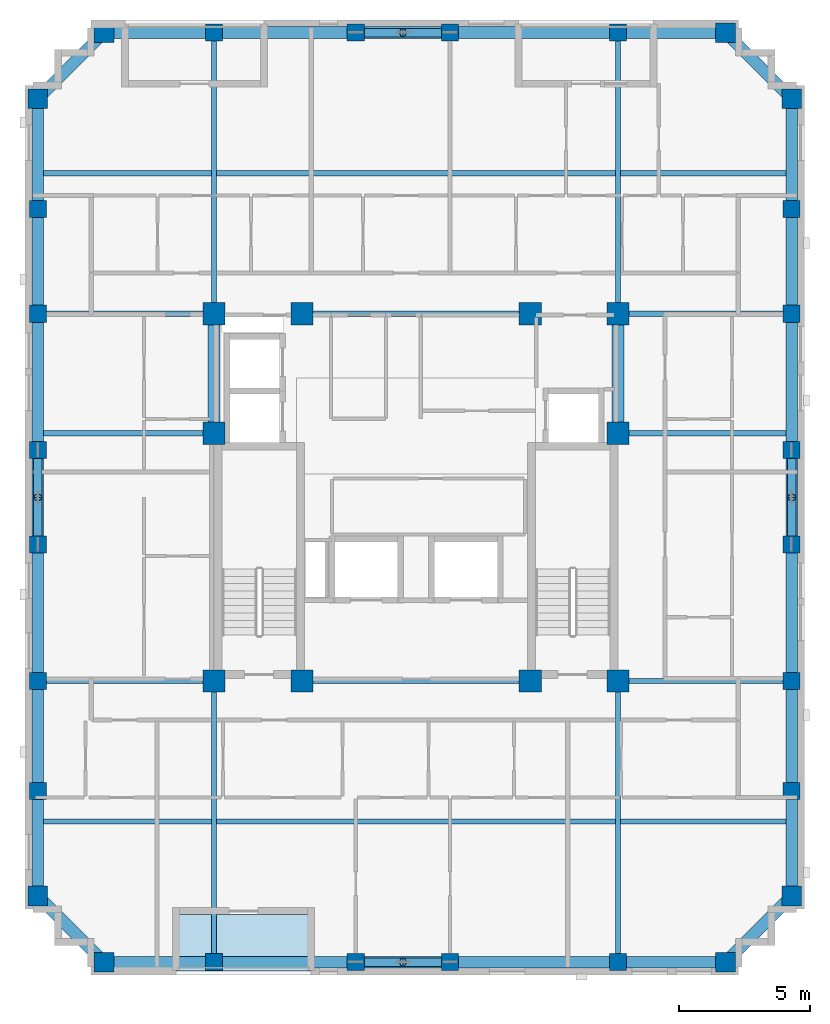
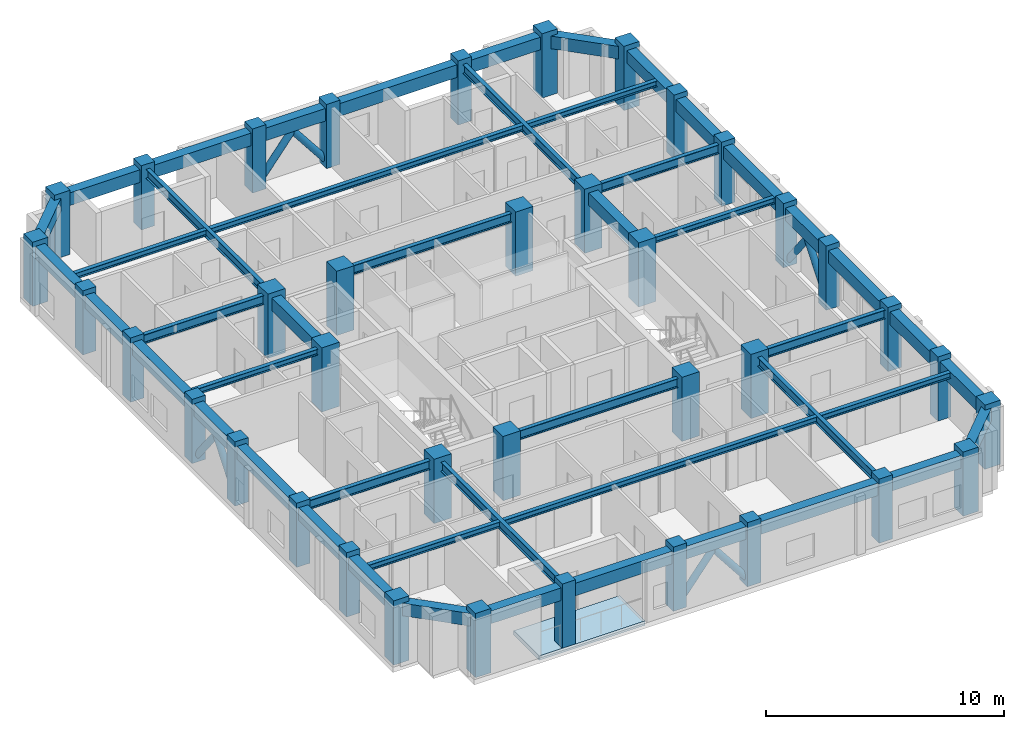
# One storey, part 1 of 11: 48 beams, 38 columns, 8 members, 1 slab.
"""IFC4 building model written with IfcOpenShell, lengths in metres."""

from ifc_helpers import new_model, si_unit, derived_unit, direction, frame, origin, origin_2d, place, context, subcontext, project, spatial, polyline, rectangle, hollow_circle, i_section, outline, extrude, material, layer, layer_set, material_profile, profile_set, type_object, element, save


model = new_model("IFC4")

# Units and contexts
model_context = context("Model", 3, precision=1e-05, world=origin(), true_north=direction((0.0, 1.0)))
body_context = subcontext(model_context, "Body", "Model", "MODEL_VIEW")
ifc_project = project(units=[si_unit("LENGTHUNIT", "METRE"), si_unit("AREAUNIT", "SQUARE_METRE"), si_unit("VOLUMEUNIT", "CUBIC_METRE"), si_unit("PLANEANGLEUNIT", "RADIAN"), si_unit("MASSUNIT", "GRAM", prefix="KILO"), derived_unit("THERMALTRANSMITTANCEUNIT", [(si_unit("MASSUNIT", "GRAM", prefix="KILO"), 1), (si_unit("TIMEUNIT", "SECOND"), -3), (si_unit("THERMODYNAMICTEMPERATUREUNIT", "KELVIN"), -1)])], contexts=[model_context])

# Site, building, storey
site_placement = place(None, origin())
site = spatial("IfcSite", under=ifc_project, at=site_placement, CompositionType="ELEMENT")
building_placement = place(site_placement, origin())
building = spatial("IfcBuilding", under=site, at=building_placement, Name="Korrvale Station Residences", CompositionType="ELEMENT")
storey_placement = place(building_placement, frame((0.0, 0.0, 187.60009765625)))
storey = spatial("IfcBuildingStorey", under=building, at=storey_placement, Name="L54", CompositionType="ELEMENT", Elevation=187.60009765625)

# Columns
ifc_material_1 = material(Name="Concrete C50/60", Category="concrete")
ifc_material_profile_1 = material_profile(ifc_material_1, rectangle(XDim=0.64990234375, YDim=0.64990234375, at=origin_2d()), Name="RC650x650")
ifc_profile_set_1 = profile_set([ifc_material_profile_1], Name="Concrete C50/60")
column_type_1 = type_object("IfcColumnType", Name="COL-C-RC650x650-C5060", PredefinedType="COLUMN", material=ifc_profile_set_1)
for number, where, z_axis, x_axis, name in (
    (1, (17.800048828125, 4.280029296875, 0.0), (0.0, 0.0, 1.0), (1.0, 0.0, 0.0), "L54 Bundled-Tube South Column 02"),
    (2, (23.199951171875, 4.280029296875, 0.0), (0.0, 0.0, 1.0), (1.0, 0.0, 0.0), "L54 Bundled-Tube South Column 03"),
    (3, (26.800048828125, 4.280029296875, 0.0), (0.0, 0.0, 1.0), (1.0, 0.0, 0.0), "L54 Bundled-Tube South Column 04"),
    (4, (33.199951171875, 4.280029296875, 0.0), (0.0, 0.0, 1.0), (1.0, 0.0, 0.0), "L54 Bundled-Tube South Column 05"),
    (5, (17.800048828125, 39.719970703125, 0.0), (0.0, 0.0, 1.0), (1.0, 0.0, 0.0), "L54 Bundled-Tube North Column 08"),
    (6, (23.199951171875, 39.719970703125, 0.0), (0.0, 0.0, 1.0), (1.0, 0.0, 0.0), "L54 Bundled-Tube North Column 09"),
    (7, (26.800048828125, 39.719970703125, 0.0), (0.0, 0.0, 1.0), (1.0, 0.0, 0.0), "L54 Bundled-Tube North Column 10"),
    (8, (33.199951171875, 39.719970703125, 0.0), (0.0, 0.0, 1.0), (1.0, 0.0, 0.0), "L54 Bundled-Tube North Column 11"),
    (9, (11.080078125, 10.800048828125, 0.0), (0.0, 0.0, 1.0), (1.0, 0.0, 0.0), "L54 Bundled-Tube West Column 14"),
    (10, (11.080078125, 15.0, 0.0), (0.0, 0.0, 1.0), (1.0, 0.0, 0.0), "L54 Bundled-Tube West Column 15"),
    (11, (11.080078125, 20.199951171875, 0.0), (0.0, 0.0, 1.0), (1.0, 0.0, 0.0), "L54 Bundled-Tube West Column 16"),
    (12, (11.080078125, 23.800048828125, 0.0), (0.0, 0.0, 1.0), (1.0, 0.0, 0.0), "L54 Bundled-Tube West Column 17"),
    (13, (11.080078125, 29.0, 0.0), (0.0, 0.0, 1.0), (1.0, 0.0, 0.0), "L54 Bundled-Tube West Column 18"),
    (14, (11.080078125, 33.0, 0.0), (0.0, 0.0, 1.0), (1.0, 0.0, 0.0), "L54 Bundled-Tube West Column 19"),
    (15, (39.820068359375, 10.800048828125, 0.0), (0.0, 0.0, 1.0), (1.0, 0.0, 0.0), "L54 Bundled-Tube East Column 22"),
    (16, (39.820068359375, 15.0, 0.0), (0.0, 0.0, 1.0), (1.0, 0.0, 0.0), "L54 Bundled-Tube East Column 23"),
    (17, (39.820068359375, 20.199951171875, 0.0), (0.0, 0.0, 1.0), (1.0, 0.0, 0.0), "L54 Bundled-Tube East Column 24"),
    (18, (39.820068359375, 23.800048828125, 0.0), (0.0, 0.0, 1.0), (1.0, 0.0, 0.0), "L54 Bundled-Tube East Column 25"),
    (19, (39.820068359375, 29.0, 0.0), (0.0, 0.0, 1.0), (1.0, 0.0, 0.0), "L54 Bundled-Tube East Column 26"),
    (20, (39.820068359375, 33.0, 0.0), (0.0, 0.0, 1.0), (1.0, 0.0, 0.0), "L54 Bundled-Tube East Column 27"),
):
    element("IfcColumn", number, at=place(storey_placement, frame(where, z_axis=z_axis, x_axis=x_axis)), inside=storey, type_object=column_type_1, Name=name, PredefinedType="COLUMN", context=body_context, shape_type="SweptSolid", body=[
        extrude(rectangle(XDim=0.64990234375, YDim=0.64990234375, at=origin_2d()), origin(), (0.0, 0.0, 1.0), 3.2998046875),
    ])
ifc_material_profile_2 = material_profile(ifc_material_1, rectangle(XDim=0.75, YDim=0.75, at=origin_2d()), Name="RC750x750")
ifc_profile_set_2 = profile_set([ifc_material_profile_2], Name="Concrete C50/60")
column_type_2 = type_object("IfcColumnType", Name="COL-C-RC750x750-C5060", PredefinedType="COLUMN", material=ifc_profile_set_2)
for number, where, z_axis, x_axis, name in (
    (21, (13.60009765625, 4.280029296875, 0.0), (0.0, 0.0, 1.0), (1.0, 0.0, 0.0), "L54 Bundled-Tube South Column 01"),
    (22, (37.300048828125, 4.280029296875, 0.0), (0.0, 0.0, 1.0), (1.0, 0.0, 0.0), "L54 Bundled-Tube South Column 06"),
    (23, (13.60009765625, 39.719970703125, 0.0), (0.0, 0.0, 1.0), (1.0, 0.0, 0.0), "L54 Bundled-Tube North Column 07"),
    (24, (37.300048828125, 39.719970703125, 0.0), (0.0, 0.0, 1.0), (1.0, 0.0, 0.0), "L54 Bundled-Tube North Column 12"),
    (25, (11.080078125, 6.800048828125, 0.0), (0.0, 0.0, 1.0), (1.0, 0.0, 0.0), "L54 Bundled-Tube West Column 13"),
    (26, (11.080078125, 37.199951171875, 0.0), (0.0, 0.0, 1.0), (1.0, 0.0, 0.0), "L54 Bundled-Tube West Column 20"),
    (27, (39.820068359375, 6.800048828125, 0.0), (0.0, 0.0, 1.0), (1.0, 0.0, 0.0), "L54 Bundled-Tube East Column 21"),
    (28, (39.820068359375, 37.199951171875, 0.0), (0.0, 0.0, 1.0), (1.0, 0.0, 0.0), "L54 Bundled-Tube East Column 28"),
):
    element("IfcColumn", number, at=place(storey_placement, frame(where, z_axis=z_axis, x_axis=x_axis)), inside=storey, type_object=column_type_2, Name=name, PredefinedType="COLUMN", context=body_context, shape_type="SweptSolid", body=[
        extrude(rectangle(XDim=0.75, YDim=0.75, at=origin_2d()), origin(), (0.0, 0.0, 1.0), 3.2998046875),
    ])
ifc_material_profile_3 = material_profile(ifc_material_1, rectangle(XDim=0.85009765625, YDim=0.85009765625, at=origin_2d()), Name="RC850x850")
ifc_profile_set_3 = profile_set([ifc_material_profile_3], Name="Concrete C50/60")
column_type_3 = type_object("IfcColumnType", Name="COL-C-RC850x850-C5060", PredefinedType="COLUMN", material=ifc_profile_set_3)
for number, where, z_axis, x_axis, name in (
    (29, (17.800048828125, 15.0, 0.0), (0.0, 0.0, 1.0), (1.0, 0.0, 0.0), "L54 Core Column 01"),
    (30, (21.14990234375, 15.0, 0.0), (0.0, 0.0, 1.0), (1.0, 0.0, 0.0), "L54 Core Column 02"),
    (31, (29.85009765625, 15.0, 0.0), (0.0, 0.0, 1.0), (1.0, 0.0, 0.0), "L54 Core Column 03"),
    (32, (33.199951171875, 15.0, 0.0), (0.0, 0.0, 1.0), (1.0, 0.0, 0.0), "L54 Core Column 04"),
    (33, (17.800048828125, 29.0, 0.0), (0.0, 0.0, 1.0), (1.0, 0.0, 0.0), "L54 Core Column 05"),
    (34, (21.14990234375, 29.0, 0.0), (0.0, 0.0, 1.0), (1.0, 0.0, 0.0), "L54 Core Column 06"),
    (35, (29.85009765625, 29.0, 0.0), (0.0, 0.0, 1.0), (1.0, 0.0, 0.0), "L54 Core Column 07"),
    (36, (33.199951171875, 29.0, 0.0), (0.0, 0.0, 1.0), (1.0, 0.0, 0.0), "L54 Core Column 08"),
    (37, (17.800048828125, 24.449951171875, 0.0), (0.0, 0.0, 1.0), (1.0, 0.0, 0.0), "L54 Core Column 09"),
    (38, (33.199951171875, 24.449951171875, 0.0), (0.0, 0.0, 1.0), (1.0, 0.0, 0.0), "L54 Core Column 10"),
):
    element("IfcColumn", number, at=place(storey_placement, frame(where, z_axis=z_axis, x_axis=x_axis)), inside=storey, type_object=column_type_3, Name=name, PredefinedType="COLUMN", context=body_context, shape_type="SweptSolid", body=[
        extrude(rectangle(XDim=0.85009765625, YDim=0.85009765625, at=origin_2d()), origin(), (0.0, 0.0, 1.0), 3.2998046875),
    ])

# Beams
ifc_material_2 = material(Name="Steel S355", Category="steel")
ifc_material_profile_4 = material_profile(ifc_material_2, i_section(OverallWidth=0.194091796875, OverallDepth=0.468994140625, WebThickness=0.0126953125, FlangeThickness=0.0205078125, FilletRadius=0.01611328125, at=origin_2d()), Name="W460x106")
ifc_profile_set_4 = profile_set([ifc_material_profile_4], Name="Steel S355")
beam_type_1 = type_object("IfcBeamType", Name="BM-BM-W460x106-S355", PredefinedType="BEAM", material=ifc_profile_set_4)
for number, where, z_axis, x_axis, name in (
    (39, (17.800048828125, 4.280029296875, 2.805419921875), (0.0, 1.0, 0.0), (-1.0, 0.0, 0.0), "L54 Bundled-Tube Web Girder 01"),
    (40, (33.199951171875, 4.280029296875, 2.805419921875), (0.0, 1.0, 0.0), (-1.0, 0.0, 0.0), "L54 Bundled-Tube Web Girder 02"),
    (41, (17.800048828125, 29.0, 2.805419921875), (0.0, 1.0, 0.0), (-1.0, 0.0, 0.0), "L54 Bundled-Tube Web Girder 03"),
    (42, (33.199951171875, 29.0, 2.805419921875), (0.0, 1.0, 0.0), (-1.0, 0.0, 0.0), "L54 Bundled-Tube Web Girder 04"),
):
    element("IfcBeam", number, at=place(storey_placement, frame(where, z_axis=z_axis, x_axis=x_axis)), inside=storey, type_object=beam_type_1, Name=name, PredefinedType="BEAM", context=body_context, shape_type="SweptSolid", body=[
        extrude(i_section(OverallWidth=0.194091796875, OverallDepth=0.468994140625, WebThickness=0.0126953125, FlangeThickness=0.0205078125, FilletRadius=0.01611328125, at=origin_2d()), origin(), (0.0, 0.0, 1.0), 10.719970703125),
    ])
beam_1_placement = place(storey_placement, frame((11.080078125, 15.0, 2.805419921875), z_axis=(1.0, 0.0, 0.0), x_axis=(0.0, 1.0, 0.0)))
element("IfcBeam", 43, at=beam_1_placement, inside=storey, type_object=beam_type_1, Name="L54 Bundled-Tube Web Girder 05", PredefinedType="BEAM", context=body_context, shape_type="SweptSolid", body=[
    extrude(i_section(OverallWidth=0.194091796875, OverallDepth=0.468994140625, WebThickness=0.0126953125, FlangeThickness=0.0205078125, FilletRadius=0.01611328125, at=origin_2d()), origin(), (0.0, 0.0, 1.0), 6.719970703125),
])
beam_2_placement = place(storey_placement, frame((33.199951171875, 15.0, 2.805419921875), z_axis=(1.0, 0.0, 0.0), x_axis=(0.0, 1.0, 0.0)))
element("IfcBeam", 44, at=beam_2_placement, inside=storey, type_object=beam_type_1, Name="L54 Bundled-Tube Web Girder 06", PredefinedType="BEAM", context=body_context, shape_type="SweptSolid", body=[
    extrude(i_section(OverallWidth=0.194091796875, OverallDepth=0.468994140625, WebThickness=0.0126953125, FlangeThickness=0.0205078125, FilletRadius=0.01611328125, at=origin_2d()), origin(), (0.0, 0.0, 1.0), 6.6201171875),
])
beam_3_placement = place(storey_placement, frame((11.080078125, 29.0, 2.805419921875), z_axis=(1.0, 0.0, 0.0), x_axis=(0.0, 1.0, 0.0)))
element("IfcBeam", 45, at=beam_3_placement, inside=storey, type_object=beam_type_1, Name="L54 Bundled-Tube Web Girder 07", PredefinedType="BEAM", context=body_context, shape_type="SweptSolid", body=[
    extrude(i_section(OverallWidth=0.194091796875, OverallDepth=0.468994140625, WebThickness=0.0126953125, FlangeThickness=0.0205078125, FilletRadius=0.01611328125, at=origin_2d()), origin(), (0.0, 0.0, 1.0), 6.719970703125),
])
beam_4_placement = place(storey_placement, frame((33.199951171875, 29.0, 2.805419921875), z_axis=(1.0, 0.0, 0.0), x_axis=(0.0, 1.0, 0.0)))
element("IfcBeam", 46, at=beam_4_placement, inside=storey, type_object=beam_type_1, Name="L54 Bundled-Tube Web Girder 08", PredefinedType="BEAM", context=body_context, shape_type="SweptSolid", body=[
    extrude(i_section(OverallWidth=0.194091796875, OverallDepth=0.468994140625, WebThickness=0.0126953125, FlangeThickness=0.0205078125, FilletRadius=0.01611328125, at=origin_2d()), origin(), (0.0, 0.0, 1.0), 6.6201171875),
])
for number, where, z_axis, x_axis, name in (
    (47, (21.14990234375, 15.0, 2.805419921875), (1.0, 0.0, 0.0), (0.0, 1.0, 0.0), "L54 Bundled-Tube Web Girder 09"),
    (48, (21.14990234375, 29.0, 2.805419921875), (1.0, 0.0, 0.0), (0.0, 1.0, 0.0), "L54 Bundled-Tube Web Girder 10"),
):
    element("IfcBeam", number, at=place(storey_placement, frame(where, z_axis=z_axis, x_axis=x_axis)), inside=storey, type_object=beam_type_1, Name=name, PredefinedType="BEAM", context=body_context, shape_type="SweptSolid", body=[
        extrude(i_section(OverallWidth=0.194091796875, OverallDepth=0.468994140625, WebThickness=0.0126953125, FlangeThickness=0.0205078125, FilletRadius=0.01611328125, at=origin_2d()), origin(), (0.0, 0.0, 1.0), 8.7001953125),
    ])
ifc_material_profile_5 = material_profile(ifc_material_2, i_section(OverallWidth=0.202880859375, OverallDepth=0.302978515625, WebThickness=0.007568359375, FlangeThickness=0.01318359375, FilletRadius=0.014892578125, at=origin_2d()), Name="W310x60")
ifc_profile_set_5 = profile_set([ifc_material_profile_5], Name="Steel S355")
beam_type_2 = type_object("IfcBeamType", Name="BM-JST-W310x60-S355", PredefinedType="JOIST", material=ifc_profile_set_5)
beam_5_placement = place(storey_placement, frame((11.304931640625, 9.639892578125, 2.888427734375), z_axis=(1.0, 0.0, 0.0), x_axis=(0.0, 1.0, 0.0)))
element("IfcBeam", 49, at=beam_5_placement, inside=storey, type_object=beam_type_2, Name="L54 Floor Framing Joist 01", PredefinedType="JOIST", context=body_context, shape_type="SweptSolid", body=[
    extrude(i_section(OverallWidth=0.202880859375, OverallDepth=0.302978515625, WebThickness=0.007568359375, FlangeThickness=0.01318359375, FilletRadius=0.014892578125, at=origin_2d()), origin(), (0.0, 0.0, 1.0), 6.39794921875),
])
beam_6_placement = place(storey_placement, frame((17.89697265625, 9.639892578125, 2.888427734375), z_axis=(1.0, 0.0, 0.0), x_axis=(0.0, 1.0, 0.0)))
element("IfcBeam", 50, at=beam_6_placement, inside=storey, type_object=beam_type_2, Name="L54 Floor Framing Joist 02", PredefinedType="JOIST", context=body_context, shape_type="SweptSolid", body=[
    extrude(i_section(OverallWidth=0.202880859375, OverallDepth=0.302978515625, WebThickness=0.007568359375, FlangeThickness=0.01318359375, FilletRadius=0.014892578125, at=origin_2d()), origin(), (0.0, 0.0, 1.0), 15.2060546875),
])
beam_7_placement = place(storey_placement, frame((33.297119140625, 9.639892578125, 2.888427734375), z_axis=(1.0, 0.0, 0.0), x_axis=(0.0, 1.0, 0.0)))
element("IfcBeam", 51, at=beam_7_placement, inside=storey, type_object=beam_type_2, Name="L54 Floor Framing Joist 03", PredefinedType="JOIST", context=body_context, shape_type="SweptSolid", body=[
    extrude(i_section(OverallWidth=0.202880859375, OverallDepth=0.302978515625, WebThickness=0.007568359375, FlangeThickness=0.01318359375, FilletRadius=0.014892578125, at=origin_2d()), origin(), (0.0, 0.0, 1.0), 6.2978515625),
])
beam_8_placement = place(storey_placement, frame((11.304931640625, 34.360107421875, 2.888427734375), z_axis=(1.0, 0.0, 0.0), x_axis=(0.0, 1.0, 0.0)))
element("IfcBeam", 52, at=beam_8_placement, inside=storey, type_object=beam_type_2, Name="L54 Floor Framing Joist 04", PredefinedType="JOIST", context=body_context, shape_type="SweptSolid", body=[
    extrude(i_section(OverallWidth=0.202880859375, OverallDepth=0.302978515625, WebThickness=0.007568359375, FlangeThickness=0.01318359375, FilletRadius=0.014892578125, at=origin_2d()), origin(), (0.0, 0.0, 1.0), 6.39794921875),
])
beam_9_placement = place(storey_placement, frame((17.89697265625, 34.360107421875, 2.888427734375), z_axis=(1.0, 0.0, 0.0), x_axis=(0.0, 1.0, 0.0)))
element("IfcBeam", 53, at=beam_9_placement, inside=storey, type_object=beam_type_2, Name="L54 Floor Framing Joist 05", PredefinedType="JOIST", context=body_context, shape_type="SweptSolid", body=[
    extrude(i_section(OverallWidth=0.202880859375, OverallDepth=0.302978515625, WebThickness=0.007568359375, FlangeThickness=0.01318359375, FilletRadius=0.014892578125, at=origin_2d()), origin(), (0.0, 0.0, 1.0), 15.2060546875),
])
beam_10_placement = place(storey_placement, frame((33.297119140625, 34.360107421875, 2.888427734375), z_axis=(1.0, 0.0, 0.0), x_axis=(0.0, 1.0, 0.0)))
element("IfcBeam", 54, at=beam_10_placement, inside=storey, type_object=beam_type_2, Name="L54 Floor Framing Joist 06", PredefinedType="JOIST", context=body_context, shape_type="SweptSolid", body=[
    extrude(i_section(OverallWidth=0.202880859375, OverallDepth=0.302978515625, WebThickness=0.007568359375, FlangeThickness=0.01318359375, FilletRadius=0.014892578125, at=origin_2d()), origin(), (0.0, 0.0, 1.0), 6.2978515625),
])
beam_11_placement = place(storey_placement, frame((33.425048828125, 24.449951171875, 2.888427734375), z_axis=(1.0, 0.0, 0.0), x_axis=(0.0, 1.0, 0.0)))
element("IfcBeam", 55, at=beam_11_placement, inside=storey, type_object=beam_type_2, Name="L54 Floor Framing Joist 07", PredefinedType="JOIST", context=body_context, shape_type="SweptSolid", body=[
    extrude(i_section(OverallWidth=0.202880859375, OverallDepth=0.302978515625, WebThickness=0.007568359375, FlangeThickness=0.01318359375, FilletRadius=0.014892578125, at=origin_2d()), origin(), (0.0, 0.0, 1.0), 6.169921875),
])
beam_12_placement = place(storey_placement, frame((11.304931640625, 24.449951171875, 2.888427734375), z_axis=(1.0, 0.0, 0.0), x_axis=(0.0, 1.0, 0.0)))
element("IfcBeam", 56, at=beam_12_placement, inside=storey, type_object=beam_type_2, Name="L54 Floor Framing Joist 08", PredefinedType="JOIST", context=body_context, shape_type="SweptSolid", body=[
    extrude(i_section(OverallWidth=0.202880859375, OverallDepth=0.302978515625, WebThickness=0.007568359375, FlangeThickness=0.01318359375, FilletRadius=0.014892578125, at=origin_2d()), origin(), (0.0, 0.0, 1.0), 6.27001953125),
])
ifc_material_profile_6 = material_profile(ifc_material_1, rectangle(XDim=0.449951171875, YDim=0.64990234375, at=origin_2d()), Name="RCB450x650")
ifc_profile_set_6 = profile_set([ifc_material_profile_6], Name="Concrete C50/60")
beam_type_3 = type_object("IfcBeamType", Name="BM-LNT-RCB450x650-C5060", PredefinedType="LINTEL", material=ifc_profile_set_6)
for number, where, z_axis, x_axis, name in (
    (57, (17.800048828125, 24.449951171875, 2.71484375), (0.0, 1.0, 0.0), (-1.0, 0.0, 0.0), "L54 Core Coupling Lintel 1"),
    (58, (33.199951171875, 24.449951171875, 2.71484375), (0.0, 1.0, 0.0), (-1.0, 0.0, 0.0), "L54 Core Coupling Lintel 2"),
):
    element("IfcBeam", number, at=place(storey_placement, frame(where, z_axis=z_axis, x_axis=x_axis)), inside=storey, type_object=beam_type_3, Name=name, PredefinedType="LINTEL", context=body_context, shape_type="SweptSolid", body=[
        extrude(rectangle(XDim=0.449951171875, YDim=0.64990234375, at=origin_2d()), origin(), (0.0, 0.0, 1.0), 4.550048828125),
    ])
ifc_material_profile_7 = material_profile(ifc_material_1, rectangle(XDim=0.449951171875, YDim=0.64990234375, at=origin_2d()), Name="RCB450x650")
ifc_profile_set_7 = profile_set([ifc_material_profile_7], Name="Concrete C50/60")
beam_type_4 = type_object("IfcBeamType", Name="BM-SPB-RCB450x650-C5060", PredefinedType="SPANDREL", material=ifc_profile_set_7)
beam_13_placement = place(storey_placement, frame((13.60009765625, 4.280029296875, 2.71484375), z_axis=(1.0, 0.0, 0.0), x_axis=(0.0, 1.0, 0.0)))
element("IfcBeam", 59, at=beam_13_placement, inside=storey, type_object=beam_type_4, Name="L54 South Tube Spandrel 01", PredefinedType="SPANDREL", context=body_context, shape_type="SweptSolid", body=[
    extrude(rectangle(XDim=0.449951171875, YDim=0.64990234375, at=origin_2d()), origin(), (0.0, 0.0, 1.0), 4.199951171875),
])
beam_14_placement = place(storey_placement, frame((17.800048828125, 4.280029296875, 2.71484375), z_axis=(1.0, 0.0, 0.0), x_axis=(0.0, 1.0, 0.0)))
element("IfcBeam", 60, at=beam_14_placement, inside=storey, type_object=beam_type_4, Name="L54 South Tube Spandrel 02", PredefinedType="SPANDREL", context=body_context, shape_type="SweptSolid", body=[
    extrude(rectangle(XDim=0.449951171875, YDim=0.64990234375, at=origin_2d()), origin(), (0.0, 0.0, 1.0), 5.39990234375),
])
beam_15_placement = place(storey_placement, frame((23.199951171875, 4.280029296875, 2.71484375), z_axis=(1.0, 0.0, 0.0), x_axis=(0.0, 1.0, 0.0)))
element("IfcBeam", 61, at=beam_15_placement, inside=storey, type_object=beam_type_4, Name="L54 South Tube Spandrel 03", PredefinedType="SPANDREL", context=body_context, shape_type="SweptSolid", body=[
    extrude(rectangle(XDim=0.449951171875, YDim=0.64990234375, at=origin_2d()), origin(), (0.0, 0.0, 1.0), 3.60009765625),
])
beam_16_placement = place(storey_placement, frame((26.800048828125, 4.280029296875, 2.71484375), z_axis=(1.0, 0.0, 0.0), x_axis=(0.0, 1.0, 0.0)))
element("IfcBeam", 62, at=beam_16_placement, inside=storey, type_object=beam_type_4, Name="L54 South Tube Spandrel 04", PredefinedType="SPANDREL", context=body_context, shape_type="SweptSolid", body=[
    extrude(rectangle(XDim=0.449951171875, YDim=0.64990234375, at=origin_2d()), origin(), (0.0, 0.0, 1.0), 6.39990234375),
])
beam_17_placement = place(storey_placement, frame((33.199951171875, 4.280029296875, 2.71484375), z_axis=(1.0, 0.0, 0.0), x_axis=(0.0, 1.0, 0.0)))
element("IfcBeam", 63, at=beam_17_placement, inside=storey, type_object=beam_type_4, Name="L54 South Tube Spandrel 05", PredefinedType="SPANDREL", context=body_context, shape_type="SweptSolid", body=[
    extrude(rectangle(XDim=0.449951171875, YDim=0.64990234375, at=origin_2d()), origin(), (0.0, 0.0, 1.0), 4.10009765625),
])
beam_18_placement = place(storey_placement, frame((13.60009765625, 39.719970703125, 2.71484375), z_axis=(1.0, 0.0, 0.0), x_axis=(0.0, 1.0, 0.0)))
element("IfcBeam", 64, at=beam_18_placement, inside=storey, type_object=beam_type_4, Name="L54 North Tube Spandrel 06", PredefinedType="SPANDREL", context=body_context, shape_type="SweptSolid", body=[
    extrude(rectangle(XDim=0.449951171875, YDim=0.64990234375, at=origin_2d()), origin(), (0.0, 0.0, 1.0), 4.199951171875),
])
beam_19_placement = place(storey_placement, frame((17.800048828125, 39.719970703125, 2.71484375), z_axis=(1.0, 0.0, 0.0), x_axis=(0.0, 1.0, 0.0)))
element("IfcBeam", 65, at=beam_19_placement, inside=storey, type_object=beam_type_4, Name="L54 North Tube Spandrel 07", PredefinedType="SPANDREL", context=body_context, shape_type="SweptSolid", body=[
    extrude(rectangle(XDim=0.449951171875, YDim=0.64990234375, at=origin_2d()), origin(), (0.0, 0.0, 1.0), 5.39990234375),
])
beam_20_placement = place(storey_placement, frame((23.199951171875, 39.719970703125, 2.71484375), z_axis=(1.0, 0.0, 0.0), x_axis=(0.0, 1.0, 0.0)))
element("IfcBeam", 66, at=beam_20_placement, inside=storey, type_object=beam_type_4, Name="L54 North Tube Spandrel 08", PredefinedType="SPANDREL", context=body_context, shape_type="SweptSolid", body=[
    extrude(rectangle(XDim=0.449951171875, YDim=0.64990234375, at=origin_2d()), origin(), (0.0, 0.0, 1.0), 3.60009765625),
])
beam_21_placement = place(storey_placement, frame((26.800048828125, 39.719970703125, 2.71484375), z_axis=(1.0, 0.0, 0.0), x_axis=(0.0, 1.0, 0.0)))
element("IfcBeam", 67, at=beam_21_placement, inside=storey, type_object=beam_type_4, Name="L54 North Tube Spandrel 09", PredefinedType="SPANDREL", context=body_context, shape_type="SweptSolid", body=[
    extrude(rectangle(XDim=0.449951171875, YDim=0.64990234375, at=origin_2d()), origin(), (0.0, 0.0, 1.0), 6.39990234375),
])
beam_22_placement = place(storey_placement, frame((33.199951171875, 39.719970703125, 2.71484375), z_axis=(1.0, 0.0, 0.0), x_axis=(0.0, 1.0, 0.0)))
element("IfcBeam", 68, at=beam_22_placement, inside=storey, type_object=beam_type_4, Name="L54 North Tube Spandrel 10", PredefinedType="SPANDREL", context=body_context, shape_type="SweptSolid", body=[
    extrude(rectangle(XDim=0.449951171875, YDim=0.64990234375, at=origin_2d()), origin(), (0.0, 0.0, 1.0), 4.10009765625),
])
beam_23_placement = place(storey_placement, frame((11.080078125, 6.800048828125, 2.71484375), z_axis=(0.0, 1.0, 0.0), x_axis=(-1.0, 0.0, 0.0)))
element("IfcBeam", 69, at=beam_23_placement, inside=storey, type_object=beam_type_4, Name="L54 West Tube Spandrel 11", PredefinedType="SPANDREL", context=body_context, shape_type="SweptSolid", body=[
    extrude(rectangle(XDim=0.449951171875, YDim=0.64990234375, at=origin_2d()), origin(), (0.0, 0.0, 1.0), 4.0),
])
beam_24_placement = place(storey_placement, frame((11.080078125, 10.800048828125, 2.71484375), z_axis=(0.0, 1.0, 0.0), x_axis=(-1.0, 0.0, 0.0)))
element("IfcBeam", 70, at=beam_24_placement, inside=storey, type_object=beam_type_4, Name="L54 West Tube Spandrel 12", PredefinedType="SPANDREL", context=body_context, shape_type="SweptSolid", body=[
    extrude(rectangle(XDim=0.449951171875, YDim=0.64990234375, at=origin_2d()), origin(), (0.0, 0.0, 1.0), 4.199951171875),
])
beam_25_placement = place(storey_placement, frame((11.080078125, 15.0, 2.71484375), z_axis=(0.0, 1.0, 0.0), x_axis=(-1.0, 0.0, 0.0)))
element("IfcBeam", 71, at=beam_25_placement, inside=storey, type_object=beam_type_4, Name="L54 West Tube Spandrel 13", PredefinedType="SPANDREL", context=body_context, shape_type="SweptSolid", body=[
    extrude(rectangle(XDim=0.449951171875, YDim=0.64990234375, at=origin_2d()), origin(), (0.0, 0.0, 1.0), 5.199951171875),
])
beam_26_placement = place(storey_placement, frame((11.080078125, 20.199951171875, 2.71484375), z_axis=(0.0, 1.0, 0.0), x_axis=(-1.0, 0.0, 0.0)))
element("IfcBeam", 72, at=beam_26_placement, inside=storey, type_object=beam_type_4, Name="L54 West Tube Spandrel 14", PredefinedType="SPANDREL", context=body_context, shape_type="SweptSolid", body=[
    extrude(rectangle(XDim=0.449951171875, YDim=0.64990234375, at=origin_2d()), origin(), (0.0, 0.0, 1.0), 3.60009765625),
])
beam_27_placement = place(storey_placement, frame((11.080078125, 23.800048828125, 2.71484375), z_axis=(0.0, 1.0, 0.0), x_axis=(-1.0, 0.0, 0.0)))
element("IfcBeam", 73, at=beam_27_placement, inside=storey, type_object=beam_type_4, Name="L54 West Tube Spandrel 15", PredefinedType="SPANDREL", context=body_context, shape_type="SweptSolid", body=[
    extrude(rectangle(XDim=0.449951171875, YDim=0.64990234375, at=origin_2d()), origin(), (0.0, 0.0, 1.0), 5.199951171875),
])
beam_28_placement = place(storey_placement, frame((11.080078125, 29.0, 2.71484375), z_axis=(0.0, 1.0, 0.0), x_axis=(-1.0, 0.0, 0.0)))
element("IfcBeam", 74, at=beam_28_placement, inside=storey, type_object=beam_type_4, Name="L54 West Tube Spandrel 16", PredefinedType="SPANDREL", context=body_context, shape_type="SweptSolid", body=[
    extrude(rectangle(XDim=0.449951171875, YDim=0.64990234375, at=origin_2d()), origin(), (0.0, 0.0, 1.0), 4.0),
])
beam_29_placement = place(storey_placement, frame((11.080078125, 33.0, 2.71484375), z_axis=(0.0, 1.0, 0.0), x_axis=(-1.0, 0.0, 0.0)))
element("IfcBeam", 75, at=beam_29_placement, inside=storey, type_object=beam_type_4, Name="L54 West Tube Spandrel 17", PredefinedType="SPANDREL", context=body_context, shape_type="SweptSolid", body=[
    extrude(rectangle(XDim=0.449951171875, YDim=0.64990234375, at=origin_2d()), origin(), (0.0, 0.0, 1.0), 4.199951171875),
])
beam_30_placement = place(storey_placement, frame((39.820068359375, 6.800048828125, 2.71484375), z_axis=(0.0, 1.0, 0.0), x_axis=(-1.0, 0.0, 0.0)))
element("IfcBeam", 76, at=beam_30_placement, inside=storey, type_object=beam_type_4, Name="L54 East Tube Spandrel 18", PredefinedType="SPANDREL", context=body_context, shape_type="SweptSolid", body=[
    extrude(rectangle(XDim=0.449951171875, YDim=0.64990234375, at=origin_2d()), origin(), (0.0, 0.0, 1.0), 4.0),
])
beam_31_placement = place(storey_placement, frame((39.820068359375, 10.800048828125, 2.71484375), z_axis=(0.0, 1.0, 0.0), x_axis=(-1.0, 0.0, 0.0)))
element("IfcBeam", 77, at=beam_31_placement, inside=storey, type_object=beam_type_4, Name="L54 East Tube Spandrel 19", PredefinedType="SPANDREL", context=body_context, shape_type="SweptSolid", body=[
    extrude(rectangle(XDim=0.449951171875, YDim=0.64990234375, at=origin_2d()), origin(), (0.0, 0.0, 1.0), 4.199951171875),
])
beam_32_placement = place(storey_placement, frame((39.820068359375, 15.0, 2.71484375), z_axis=(0.0, 1.0, 0.0), x_axis=(-1.0, 0.0, 0.0)))
element("IfcBeam", 78, at=beam_32_placement, inside=storey, type_object=beam_type_4, Name="L54 East Tube Spandrel 20", PredefinedType="SPANDREL", context=body_context, shape_type="SweptSolid", body=[
    extrude(rectangle(XDim=0.449951171875, YDim=0.64990234375, at=origin_2d()), origin(), (0.0, 0.0, 1.0), 5.199951171875),
])
beam_33_placement = place(storey_placement, frame((39.820068359375, 20.199951171875, 2.71484375), z_axis=(0.0, 1.0, 0.0), x_axis=(-1.0, 0.0, 0.0)))
element("IfcBeam", 79, at=beam_33_placement, inside=storey, type_object=beam_type_4, Name="L54 East Tube Spandrel 21", PredefinedType="SPANDREL", context=body_context, shape_type="SweptSolid", body=[
    extrude(rectangle(XDim=0.449951171875, YDim=0.64990234375, at=origin_2d()), origin(), (0.0, 0.0, 1.0), 3.60009765625),
])
beam_34_placement = place(storey_placement, frame((39.820068359375, 23.800048828125, 2.71484375), z_axis=(0.0, 1.0, 0.0), x_axis=(-1.0, 0.0, 0.0)))
element("IfcBeam", 80, at=beam_34_placement, inside=storey, type_object=beam_type_4, Name="L54 East Tube Spandrel 22", PredefinedType="SPANDREL", context=body_context, shape_type="SweptSolid", body=[
    extrude(rectangle(XDim=0.449951171875, YDim=0.64990234375, at=origin_2d()), origin(), (0.0, 0.0, 1.0), 5.199951171875),
])
beam_35_placement = place(storey_placement, frame((39.820068359375, 29.0, 2.71484375), z_axis=(0.0, 1.0, 0.0), x_axis=(-1.0, 0.0, 0.0)))
element("IfcBeam", 81, at=beam_35_placement, inside=storey, type_object=beam_type_4, Name="L54 East Tube Spandrel 23", PredefinedType="SPANDREL", context=body_context, shape_type="SweptSolid", body=[
    extrude(rectangle(XDim=0.449951171875, YDim=0.64990234375, at=origin_2d()), origin(), (0.0, 0.0, 1.0), 4.0),
])
beam_36_placement = place(storey_placement, frame((39.820068359375, 33.0, 2.71484375), z_axis=(0.0, 1.0, 0.0), x_axis=(-1.0, 0.0, 0.0)))
element("IfcBeam", 82, at=beam_36_placement, inside=storey, type_object=beam_type_4, Name="L54 East Tube Spandrel 24", PredefinedType="SPANDREL", context=body_context, shape_type="SweptSolid", body=[
    extrude(rectangle(XDim=0.449951171875, YDim=0.64990234375, at=origin_2d()), origin(), (0.0, 0.0, 1.0), 4.199951171875),
])
for number, where, z_axis, x_axis, name in (
    (83, (13.60009765625, 4.280029296875, 2.71484375), (-0.707106781187, 0.707106781187, 0.0), (-0.707106781187, -0.707106781187, 0.0), "L54 Serrated Corner Spandrel 25"),
    (84, (37.300048828125, 4.280029296875, 2.71484375), (0.707106781187, 0.707106781187, 0.0), (-0.707106781187, 0.707106781187, 0.0), "L54 Serrated Corner Spandrel 26"),
    (85, (37.300048828125, 39.719970703125, 2.71484375), (0.707106781187, -0.707106781187, 0.0), (0.707106781187, 0.707106781187, 0.0), "L54 Serrated Corner Spandrel 27"),
    (86, (13.60009765625, 39.719970703125, 2.71484375), (-0.707106781187, -0.707106781187, 0.0), (0.707106781187, -0.707106781187, 0.0), "L54 Serrated Corner Spandrel 28"),
):
    element("IfcBeam", number, at=place(storey_placement, frame(where, z_axis=z_axis, x_axis=x_axis)), inside=storey, type_object=beam_type_4, Name=name, PredefinedType="SPANDREL", context=body_context, shape_type="SweptSolid", body=[
        extrude(rectangle(XDim=0.449951171875, YDim=0.64990234375, at=origin_2d()), origin(), (0.0, 0.0, 1.0), 3.56396484375),
    ])

# Members
ifc_material_profile_8 = material_profile(ifc_material_2, hollow_circle(Radius=0.161865234375, WallThickness=0.015869140625, at=origin_2d()), Name="HSS324x16")
ifc_profile_set_8 = profile_set([ifc_material_profile_8], Name="Steel S355")
member_type = type_object("IfcMemberType", Name="MBR-BR-HSS324x16", PredefinedType="BRACE", material=ifc_profile_set_8)
for number, where, z_axis, x_axis, name in (
    (87, (23.199951171875, 4.280029296875, 0.02001953125), (0.618017733758, 0.0, 0.78616415637), (0.0, 1.0, 0.0), "L54 S Perimeter Tube Wind Brace 1"),
    (88, (26.800048828125, 4.280029296875, 0.02001953125), (-0.618017733758, 0.0, 0.78616415637), (0.0, -1.0, 0.0), "L54 S Perimeter Tube Wind Brace 2"),
    (89, (23.199951171875, 39.719970703125, 0.02001953125), (0.618017733758, 0.0, 0.78616415637), (0.0, 1.0, 0.0), "L54 N Perimeter Tube Wind Brace 1"),
    (90, (26.800048828125, 39.719970703125, 0.02001953125), (-0.618017733758, 0.0, 0.78616415637), (0.0, -1.0, 0.0), "L54 N Perimeter Tube Wind Brace 2"),
    (91, (11.080078125, 20.199951171875, 0.02001953125), (0.0, 0.618017733758, 0.78616415637), (-1.0, 0.0, 0.0), "L54 W Perimeter Tube Wind Brace 1"),
    (92, (11.080078125, 23.800048828125, 0.02001953125), (0.0, -0.618017733758, 0.78616415637), (1.0, 0.0, 0.0), "L54 W Perimeter Tube Wind Brace 2"),
    (93, (39.820068359375, 20.199951171875, 0.02001953125), (0.0, 0.618017733758, 0.78616415637), (-1.0, 0.0, 0.0), "L54 E Perimeter Tube Wind Brace 1"),
    (94, (39.820068359375, 23.800048828125, 0.02001953125), (0.0, -0.618017733758, 0.78616415637), (1.0, 0.0, 0.0), "L54 E Perimeter Tube Wind Brace 2"),
):
    element("IfcMember", number, at=place(storey_placement, frame(where, z_axis=z_axis, x_axis=x_axis)), inside=storey, type_object=member_type, Name=name, PredefinedType="BRACE", context=body_context, shape_type="SweptSolid", body=[
        extrude(hollow_circle(Radius=0.161865234375, WallThickness=0.015869140625, at=origin_2d()), origin(), (0.0, 0.0, 1.0), 2.91259765625),
    ])

# Slab
ifc_layer = layer(ifc_material_1, 0.219970703125, Name="Concrete C50/60")
ifc_layer_set = layer_set([ifc_layer], Name="Concrete C50/60")
slab_type = type_object("IfcSlabType", Name="SLB-BAL-220", PredefinedType="FLOOR", material=ifc_layer_set)
slab_placement = place(storey_placement, frame((0.0, 0.0, -0.22021484375)))
element("IfcSlab", 95, at=slab_placement, inside=storey, type_object=slab_type, Name="L54 Recessed Loggia Balcony Slab BAL-L54-S1", PredefinedType="FLOOR", context=body_context, shape_type="SweptSolid", body=[
    extrude(outline(polyline([(16.35009765625, 3.949951171875), (21.5, 3.949951171875), (21.5, 6.10009765625), (16.35009765625, 6.10009765625), (16.35009765625, 3.949951171875)])), origin(), (0.0, 0.0, 1.0), 0.22021484375),
])

save(model, "model.ifc")
